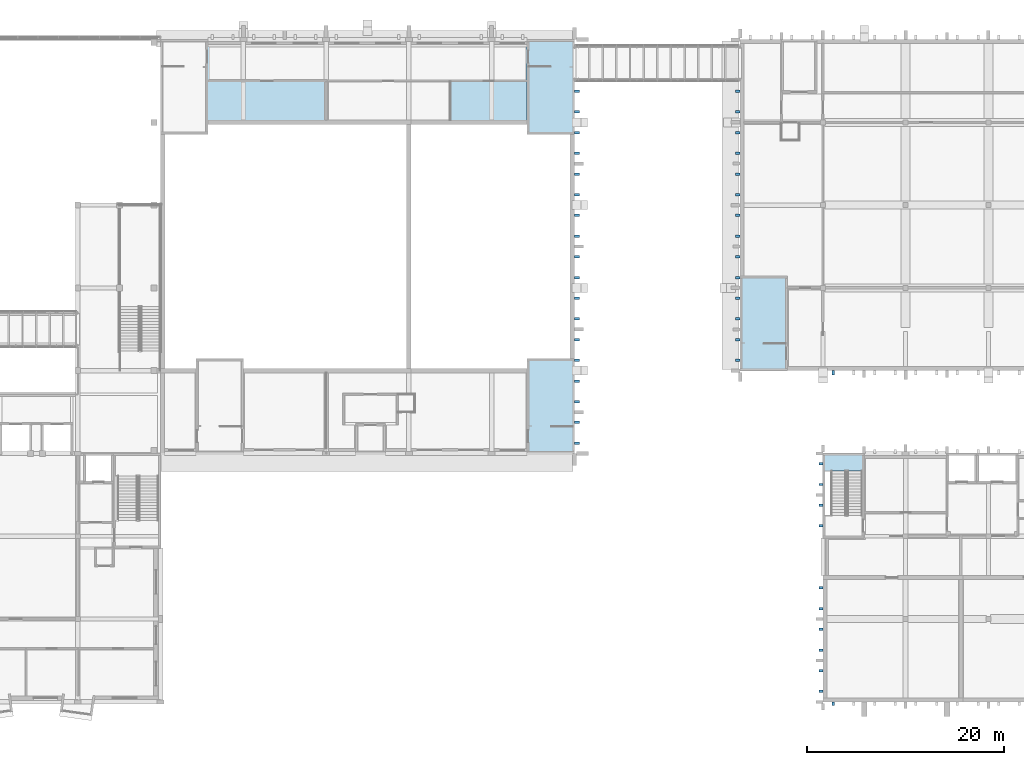
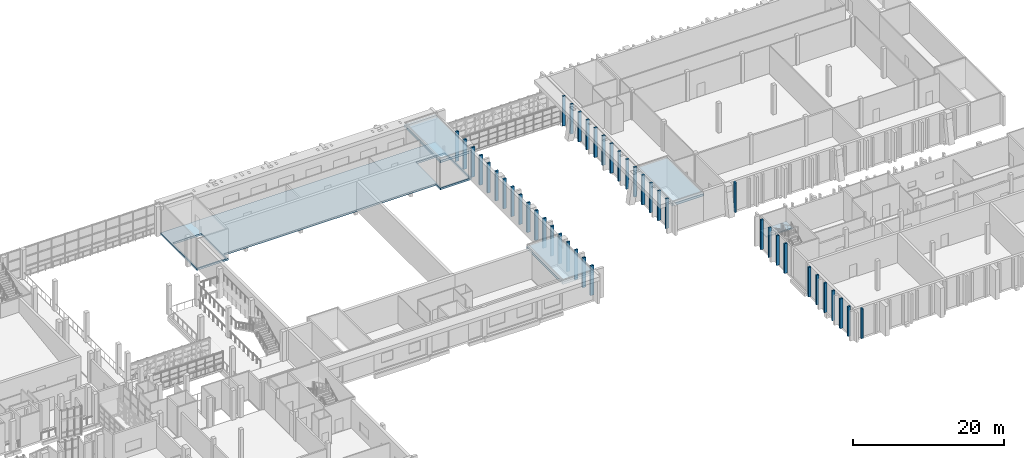
# One storey, part 34 of 86: 44 plates, 5 slabs, 1 element without a shape of its own.
"""IFC4 building model written with IfcOpenShell, lengths in metres."""

from ifc_helpers import new_model, si_unit, direction, frame, origin, origin_2d, place, context, subcontext, project, spatial, polyline, rectangle, outline, extrude, material, layer, layer_set, type_object, element, aggregate, save


model = new_model("IFC4")

# Units and contexts
model_context = context("Model", 3, precision=1e-05, world=origin(), true_north=direction((0.0, 1.0)))
body_context = subcontext(model_context, "Body", "Model", "MODEL_VIEW")
ifc_project = project(units=[si_unit("LENGTHUNIT", "METRE"), si_unit("AREAUNIT", "SQUARE_METRE"), si_unit("VOLUMEUNIT", "CUBIC_METRE"), si_unit("PLANEANGLEUNIT", "RADIAN"), si_unit("MASSUNIT", "GRAM", prefix="KILO")], contexts=[model_context])

# Site, building, storey
site_placement = place(None, origin())
site = spatial("IfcSite", under=ifc_project, at=site_placement, CompositionType="ELEMENT")
building_placement = place(site_placement, origin())
building = spatial("IfcBuilding", under=site, at=building_placement, Name="Kiln Court Media Centre", CompositionType="ELEMENT")
storey_placement = place(building_placement, frame((0.0, 0.0, 10.199951171875)))
storey = spatial("IfcBuildingStorey", under=building, at=storey_placement, Name="L02", CompositionType="ELEMENT", Elevation=10.199951171875)

# Slabs
ifc_material_1 = material(Name="Concrete C30/37", Category="concrete")
ifc_layer_1 = layer(ifc_material_1, 0.300048828125)
ifc_layer_set_1 = layer_set([ifc_layer_1], Name="Concrete C30/37 floor slab 300")
slab_type_1 = type_object("IfcSlabType", Name="Concrete C30/37 floor slab 300", PredefinedType="FLOOR", material=ifc_layer_set_1)
slab_1_placement = place(storey_placement, frame((0.0, 0.0, -0.300048828125)))
element("IfcSlab", 1, at=slab_1_placement, inside=storey, type_object=slab_type_1, Name="L02-SL-1005", PredefinedType="FLOOR", context=body_context, shape_type="SweptSolid", body=[
    extrude(outline(polyline([(58.800048828125, 57.60009765625), (58.800048828125, 67.199951171875), (100.800048828125, 67.199951171875), (100.800048828125, 57.60009765625), (96.0, 57.60009765625), (96.0, 58.800048828125), (63.60009765625, 58.800048828125), (63.60009765625, 57.60009765625), (58.800048828125, 57.60009765625)]), holes=[polyline([(59.0, 57.800048828125), (63.39990234375, 57.800048828125), (63.39990234375, 64.360107421875), (59.0, 64.360107421875), (59.0, 57.800048828125)]), polyline([(96.199951171875, 57.800048828125), (100.60009765625, 57.800048828125), (100.60009765625, 64.360107421875), (96.199951171875, 64.360107421875), (96.199951171875, 57.800048828125)])]), origin(), (0.0, 0.0, 1.0), 0.300048828125),
])
ifc_material_2 = material(Name="Concrete C30/37", Category="concrete")
ifc_layer_2 = layer(ifc_material_2, 0.39990234375)
ifc_layer_set_2 = layer_set([ifc_layer_2], Name="Concrete C30/37 roof slab 400")
slab_type_2 = type_object("IfcSlabType", Name="Concrete C30/37 roof slab 400", PredefinedType="ROOF", material=ifc_layer_set_2)
slab_2_placement = place(storey_placement, frame((0.0, 0.0, 4.050048828125)))
element("IfcSlab", 2, at=slab_2_placement, inside=storey, type_object=slab_type_2, Name="L02-SL-1010", PredefinedType="ROOF", context=body_context, shape_type="SweptSolid", body=[
    extrude(outline(polyline([(96.0, 25.199951171875), (96.0, 34.800048828125), (100.800048828125, 34.800048828125), (100.800048828125, 25.199951171875), (96.0, 25.199951171875)])), origin(), (0.0, 0.0, 1.0), 0.39990234375),
])
slab_3_placement = place(storey_placement, frame((0.0, 0.0, 4.050048828125)))
element("IfcSlab", 3, at=slab_3_placement, inside=storey, type_object=slab_type_2, Name="L02-SL-1011", PredefinedType="ROOF", context=body_context, shape_type="SweptSolid", body=[
    extrude(outline(polyline([(96.0, 57.60009765625), (96.0, 67.199951171875), (100.800048828125, 67.199951171875), (100.800048828125, 57.60009765625), (96.0, 57.60009765625)])), origin(), (0.0, 0.0, 1.0), 0.39990234375),
])
slab_4_placement = place(storey_placement, frame((0.0, 0.0, 4.050048828125)))
element("IfcSlab", 4, at=slab_4_placement, inside=storey, type_object=slab_type_2, Name="L02-SL-1012", PredefinedType="ROOF", context=body_context, shape_type="SweptSolid", body=[
    extrude(outline(polyline([(117.60009765625, 33.60009765625), (117.60009765625, 43.199951171875), (122.39990234375, 43.199951171875), (122.39990234375, 33.60009765625), (117.60009765625, 33.60009765625)])), origin(), (0.0, 0.0, 1.0), 0.39990234375),
])

# Plates
ifc_material_3 = material(Name="Concrete C40/50", Category="concrete")
ifc_layer_3 = layer(ifc_material_3, 0.25)
ifc_layer_set_3 = layer_set([ifc_layer_3], Name="Concrete C40/50 shading fin 250")
plate_type = type_object("IfcPlateType", Name="Concrete C40/50 shading fin 250", PredefinedType="SHEET", material=ifc_layer_set_3)
for number, where, z_axis, x_axis, name in (
    (5, (101.050048828125, 26.25, 0.0), (0.0, 0.0, 1.0), (1.0, 0.0, 0.0), "V1 E fin L02"),
    (6, (101.050048828125, 28.35009765625, 0.0), (0.0, 0.0, 1.0), (1.0, 0.0, 0.0), "V1 E fin L02"),
    (7, (101.050048828125, 30.449951171875, 0.0), (0.0, 0.0, 1.0), (1.0, 0.0, 0.0), "V1 E fin L02"),
    (8, (101.050048828125, 32.550048828125, 0.0), (0.0, 0.0, 1.0), (1.0, 0.0, 0.0), "V1 E fin L02"),
    (9, (101.050048828125, 34.64990234375, 0.0), (0.0, 0.0, 1.0), (1.0, 0.0, 0.0), "V1 E fin L02"),
    (10, (101.050048828125, 36.75, 0.0), (0.0, 0.0, 1.0), (1.0, 0.0, 0.0), "V1 E fin L02"),
    (11, (101.050048828125, 38.85009765625, 0.0), (0.0, 0.0, 1.0), (1.0, 0.0, 0.0), "V1 E fin L02"),
    (12, (101.050048828125, 40.949951171875, 0.0), (0.0, 0.0, 1.0), (1.0, 0.0, 0.0), "V1 E fin L02"),
    (13, (101.050048828125, 43.050048828125, 0.0), (0.0, 0.0, 1.0), (1.0, 0.0, 0.0), "V1 E fin L02"),
    (14, (101.050048828125, 45.14990234375, 0.0), (0.0, 0.0, 1.0), (1.0, 0.0, 0.0), "V1 E fin L02"),
    (15, (101.050048828125, 47.25, 0.0), (0.0, 0.0, 1.0), (1.0, 0.0, 0.0), "V1 E fin L02"),
    (16, (101.050048828125, 49.35009765625, 0.0), (0.0, 0.0, 1.0), (1.0, 0.0, 0.0), "V1 E fin L02"),
    (17, (101.050048828125, 51.449951171875, 0.0), (0.0, 0.0, 1.0), (1.0, 0.0, 0.0), "V1 E fin L02"),
    (18, (101.050048828125, 53.550048828125, 0.0), (0.0, 0.0, 1.0), (1.0, 0.0, 0.0), "V1 E fin L02"),
    (19, (101.050048828125, 55.64990234375, 0.0), (0.0, 0.0, 1.0), (1.0, 0.0, 0.0), "V1 E fin L02"),
    (20, (101.050048828125, 57.75, 0.0), (0.0, 0.0, 1.0), (1.0, 0.0, 0.0), "V1 E fin L02"),
    (21, (101.050048828125, 59.85009765625, 0.0), (0.0, 0.0, 1.0), (1.0, 0.0, 0.0), "V1 E fin L02"),
    (22, (101.050048828125, 61.949951171875, 0.0), (0.0, 0.0, 1.0), (1.0, 0.0, 0.0), "V1 E fin L02"),
):
    element("IfcPlate", number, at=place(storey_placement, frame(where, z_axis=z_axis, x_axis=x_axis)), inside=storey, type_object=plate_type, Name=name, PredefinedType="SHEET", context=body_context, shape_type="SweptSolid", body=[
        extrude(rectangle(XDim=0.5, YDim=0.25, at=origin_2d()), origin(), (0.0, 0.0, 1.0), 4.800048828125),
    ])
plate_1_placement = place(storey_placement, frame((127.050048828125, 33.375, 0.0), z_axis=(0.0, 0.0, 1.0), x_axis=(1.0, 0.0, 0.0)))
element("IfcPlate", 23, at=plate_1_placement, inside=storey, type_object=plate_type, Name="V2 S fin L02", PredefinedType="SHEET", context=body_context, shape_type="SweptSolid", body=[
    extrude(rectangle(XDim=0.25, YDim=0.449951171875, at=origin_2d()), origin(), (0.0, 0.0, 1.0), 4.800048828125),
])
for number, where, z_axis, x_axis, name in (
    (24, (117.375, 34.64990234375, 0.0), (0.0, 0.0, 1.0), (1.0, 0.0, 0.0), "V2 W fin L02"),
    (25, (117.375, 36.75, 0.0), (0.0, 0.0, 1.0), (1.0, 0.0, 0.0), "V2 W fin L02"),
    (26, (117.375, 38.85009765625, 0.0), (0.0, 0.0, 1.0), (1.0, 0.0, 0.0), "V2 W fin L02"),
    (27, (117.375, 40.949951171875, 0.0), (0.0, 0.0, 1.0), (1.0, 0.0, 0.0), "V2 W fin L02"),
    (28, (117.375, 43.050048828125, 0.0), (0.0, 0.0, 1.0), (1.0, 0.0, 0.0), "V2 W fin L02"),
    (29, (117.375, 45.14990234375, 0.0), (0.0, 0.0, 1.0), (1.0, 0.0, 0.0), "V2 W fin L02"),
    (30, (117.375, 47.25, 0.0), (0.0, 0.0, 1.0), (1.0, 0.0, 0.0), "V2 W fin L02"),
    (31, (117.375, 49.35009765625, 0.0), (0.0, 0.0, 1.0), (1.0, 0.0, 0.0), "V2 W fin L02"),
    (32, (117.375, 51.449951171875, 0.0), (0.0, 0.0, 1.0), (1.0, 0.0, 0.0), "V2 W fin L02"),
    (33, (117.375, 53.550048828125, 0.0), (0.0, 0.0, 1.0), (1.0, 0.0, 0.0), "V2 W fin L02"),
    (34, (117.375, 55.64990234375, 0.0), (0.0, 0.0, 1.0), (1.0, 0.0, 0.0), "V2 W fin L02"),
    (35, (117.375, 57.75, 0.0), (0.0, 0.0, 1.0), (1.0, 0.0, 0.0), "V2 W fin L02"),
    (36, (117.375, 59.85009765625, 0.0), (0.0, 0.0, 1.0), (1.0, 0.0, 0.0), "V2 W fin L02"),
    (37, (117.375, 61.949951171875, 0.0), (0.0, 0.0, 1.0), (1.0, 0.0, 0.0), "V2 W fin L02"),
):
    element("IfcPlate", number, at=place(storey_placement, frame(where, z_axis=z_axis, x_axis=x_axis)), inside=storey, type_object=plate_type, Name=name, PredefinedType="SHEET", context=body_context, shape_type="SweptSolid", body=[
        extrude(rectangle(XDim=0.449951171875, YDim=0.25, at=origin_2d()), origin(), (0.0, 0.0, 1.0), 4.800048828125),
    ])
plate_2_placement = place(storey_placement, frame((127.050048828125, -0.199951171875, 0.0), z_axis=(0.0, 0.0, 1.0), x_axis=(1.0, 0.0, 0.0)))
element("IfcPlate", 38, at=plate_2_placement, inside=storey, type_object=plate_type, Name="V5 S fin L02", PredefinedType="SHEET", context=body_context, shape_type="SweptSolid", body=[
    extrude(rectangle(XDim=0.25, YDim=0.39990234375, at=origin_2d()), origin(), (0.0, 0.0, 1.0), 4.800048828125),
])
for number, where, z_axis, x_axis, name in (
    (39, (125.800048828125, 1.050048828125, 0.0), (0.0, 0.0, 1.0), (1.0, 0.0, 0.0), "V5 W fin L02"),
    (40, (125.800048828125, 3.14990234375, 0.0), (0.0, 0.0, 1.0), (1.0, 0.0, 0.0), "V5 W fin L02"),
    (41, (125.800048828125, 5.25, 0.0), (0.0, 0.0, 1.0), (1.0, 0.0, 0.0), "V5 W fin L02"),
    (42, (125.800048828125, 7.35009765625, 0.0), (0.0, 0.0, 1.0), (1.0, 0.0, 0.0), "V5 W fin L02"),
    (43, (125.800048828125, 9.449951171875, 0.0), (0.0, 0.0, 1.0), (1.0, 0.0, 0.0), "V5 W fin L02"),
    (44, (125.800048828125, 11.550048828125, 0.0), (0.0, 0.0, 1.0), (1.0, 0.0, 0.0), "V5 W fin L02"),
    (45, (125.800048828125, 17.85009765625, 0.0), (0.0, 0.0, 1.0), (1.0, 0.0, 0.0), "V5 W fin L02"),
    (46, (125.800048828125, 19.949951171875, 0.0), (0.0, 0.0, 1.0), (1.0, 0.0, 0.0), "V5 W fin L02"),
    (47, (125.800048828125, 22.050048828125, 0.0), (0.0, 0.0, 1.0), (1.0, 0.0, 0.0), "V5 W fin L02"),
    (48, (125.800048828125, 24.14990234375, 0.0), (0.0, 0.0, 1.0), (1.0, 0.0, 0.0), "V5 W fin L02"),
):
    element("IfcPlate", number, at=place(storey_placement, frame(where, z_axis=z_axis, x_axis=x_axis)), inside=storey, type_object=plate_type, Name=name, PredefinedType="SHEET", context=body_context, shape_type="SweptSolid", body=[
        extrude(rectangle(XDim=0.39990234375, YDim=0.25, at=origin_2d()), origin(), (0.0, 0.0, 1.0), 4.800048828125),
    ])

# Stair, slab
ifc_material_4 = material(Name="Concrete C40/50", Category="concrete")
stair_type = type_object("IfcStairType", Name="Concrete C40/50 dog-leg stair 1500 wide, 150 riser", PredefinedType="HALF_TURN_STAIR", material=ifc_material_4)
stair_placement = place(storey_placement, origin())
stair = element("IfcStair", 49, at=stair_placement, inside=storey, type_object=stair_type, Name="ST-16 L02", PredefinedType="HALF_TURN_STAIR")
ifc_material_5 = material(Name="Concrete C40/50", Category="concrete")
ifc_layer_4 = layer(ifc_material_5, 0.199951171875)
ifc_layer_set_4 = layer_set([ifc_layer_4], Name="Concrete C40/50 stair landing 200")
slab_type_3 = type_object("IfcSlabType", Name="Concrete C40/50 stair landing 200", PredefinedType="LANDING", material=ifc_layer_set_4)
slab_5_placement = place(storey_placement, frame((0.0, 0.0, 2.199951171875)))
slab_5 = element("IfcSlab", 50, at=slab_5_placement, type_object=slab_type_3, Name="L02-ST-5008 landing 5008", PredefinedType="LANDING", context=body_context, shape_type="SweptSolid", body=[
    extrude(outline(polyline([(130.1201171875, 23.39990234375), (130.1201171875, 25.1201171875), (126.080078125, 25.1201171875), (126.080078125, 23.39990234375), (130.1201171875, 23.39990234375)])), origin(), (0.0, 0.0, 1.0), 0.2001953125),
])
aggregate(stair, [slab_5])

save(model, "model.ifc")
